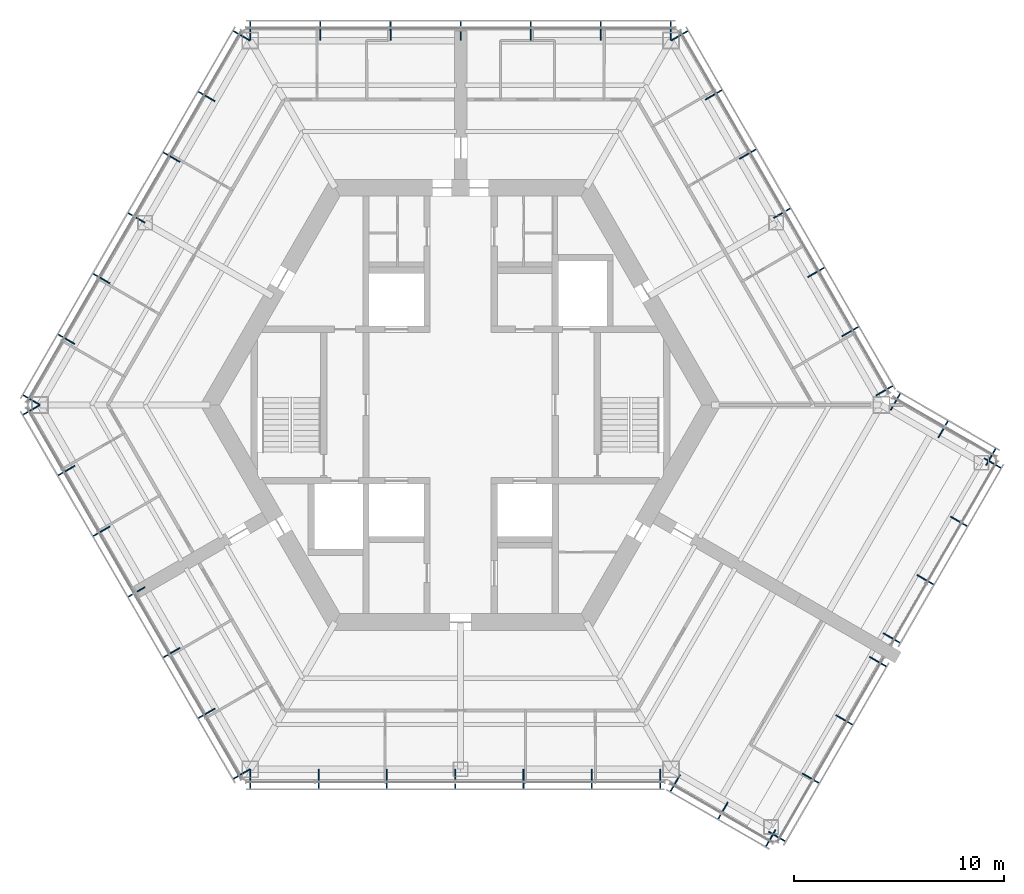
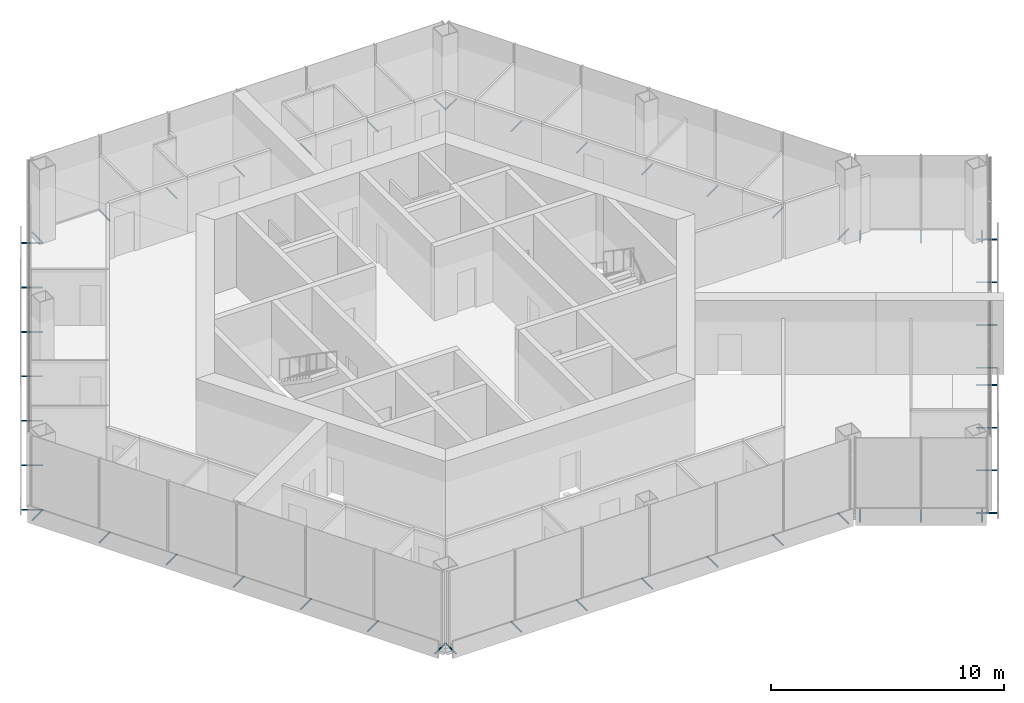
# One storey, part 11 of 13: 49 discrete accessories.
"""IFC4 building model written with IfcOpenShell, lengths in metres."""

from ifc_helpers import new_model, si_unit, direction, frame, origin, origin_2d, place, context, subcontext, project, spatial, hollow_circle, extrude, material, material_profile, profile_set, type_object, element, save


model = new_model("IFC4")

# Units and contexts
model_context = context("Model", 3, precision=1e-05, world=origin(), true_north=direction((0.0, 1.0)))
body_context = subcontext(model_context, "Body", "Model", "MODEL_VIEW")
ifc_project = project(units=[si_unit("LENGTHUNIT", "METRE"), si_unit("AREAUNIT", "SQUARE_METRE"), si_unit("VOLUMEUNIT", "CUBIC_METRE"), si_unit("PLANEANGLEUNIT", "RADIAN"), si_unit("MASSUNIT", "GRAM", prefix="KILO")], contexts=[model_context])

# Site, building, storey
site_placement = place(None, origin())
site = spatial("IfcSite", under=ifc_project, at=site_placement, CompositionType="ELEMENT")
building_placement = place(site_placement, origin())
building = spatial("IfcBuilding", under=site, at=building_placement, Name="Kasaneha Research Tower", CompositionType="ELEMENT")
storey_placement = place(building_placement, frame((0.0, 0.0, 294.699951171875)))
storey = spatial("IfcBuildingStorey", under=building, at=storey_placement, Name="L74", CompositionType="ELEMENT", Elevation=294.699951171875)

# Discrete accessories
ifc_material = material(Name="Steel STK400", Category="steel")
ifc_material_profile = material_profile(ifc_material, hollow_circle(Radius=0.0380859375, WallThickness=0.00390625, at=origin_2d()), Name="CHS-76.3x4.0")
ifc_profile_set = profile_set([ifc_material_profile], Name="Steel STK400")
discrete_accessory_type = type_object("IfcDiscreteAccessoryType", Name="Screen bracket CHS-76.3x4.0", PredefinedType="BRACKET", material=ifc_profile_set)
for number, where, z_axis, x_axis, name in (
    (1, (19.74462890625, 0.4423828125, -0.300048828125), (0.866013213425, 0.500021113727, 0.0), (-0.500021113727, 0.866013213425, 0.0), "Screen bracket 1"),
    (2, (18.120849609375, 3.2548828125, -0.300048828125), (0.866013213425, 0.500021113727, 0.0), (-0.500021113727, 0.866013213425, 0.0), "Screen bracket 2"),
    (3, (16.4970703125, 6.0673828125, -0.300048828125), (0.866013213425, 0.500021113727, 0.0), (-0.500021113727, 0.866013213425, 0.0), "Screen bracket 3"),
    (4, (14.873291015625, 8.8798828125, -0.300048828125), (0.866013213425, 0.500021113727, 0.0), (-0.500021113727, 0.866013213425, 0.0), "Screen bracket 4"),
    (5, (13.24951171875, 11.6923828125, -0.300048828125), (0.866013213425, 0.500021113727, 0.0), (-0.500021113727, 0.866013213425, 0.0), "Screen bracket 5"),
):
    element("IfcDiscreteAccessory", number, at=place(storey_placement, frame(where, z_axis=z_axis, x_axis=x_axis)), inside=storey, type_object=discrete_accessory_type, Name=name, PredefinedType="BRACKET", context=body_context, shape_type="SweptSolid", body=[
        extrude(hollow_circle(Radius=0.0380859375, WallThickness=0.00390625, at=origin_2d()), origin(), (0.0, 0.0, 1.0), 0.919921875),
    ])
for number, where, z_axis, x_axis, name in (
    (6, (11.62548828125, 14.5048828125, -0.300048828125), (0.866079547155, 0.499906209203, 0.0), (-0.499906209203, 0.866079547155, 0.0), "Screen bracket 6"),
    (7, (10.001708984375, 17.3173828125, -0.300048828125), (0.866079547155, 0.499906209203, 0.0), (-0.499906209203, 0.866079547155, 0.0), "Screen bracket 7"),
):
    element("IfcDiscreteAccessory", number, at=place(storey_placement, frame(where, z_axis=z_axis, x_axis=x_axis)), inside=storey, type_object=discrete_accessory_type, Name=name, PredefinedType="BRACKET", context=body_context, shape_type="SweptSolid", body=[
        extrude(hollow_circle(Radius=0.0380859375, WallThickness=0.00390625, at=origin_2d()), origin(), (0.0, 0.0, 1.0), 0.920166015625),
    ])
for number, where, z_axis, x_axis, name in (
    (8, (9.996337890625, 17.320556640625, -0.300048828125), (0.0, 1.0, 0.0), (-1.0, 0.0, 0.0), "Screen bracket 1"),
    (9, (6.664306640625, 17.320556640625, -0.300048828125), (0.0, 1.0, 0.0), (-1.0, 0.0, 0.0), "Screen bracket 2"),
    (10, (3.33203125, 17.320556640625, -0.300048828125), (0.0, 1.0, 0.0), (-1.0, 0.0, 0.0), "Screen bracket 3"),
    (11, (0.0, 17.320556640625, -0.300048828125), (0.0, 1.0, 0.0), (-1.0, 0.0, 0.0), "Screen bracket 4"),
    (12, (-3.33203125, 17.320556640625, -0.300048828125), (0.0, 1.0, 0.0), (-1.0, 0.0, 0.0), "Screen bracket 5"),
    (13, (-6.664306640625, 17.320556640625, -0.300048828125), (0.0, 1.0, 0.0), (-1.0, 0.0, 0.0), "Screen bracket 6"),
    (14, (-9.996337890625, 17.320556640625, -0.300048828125), (0.0, 1.0, 0.0), (-1.0, 0.0, 0.0), "Screen bracket 7"),
):
    element("IfcDiscreteAccessory", number, at=place(storey_placement, frame(where, z_axis=z_axis, x_axis=x_axis)), inside=storey, type_object=discrete_accessory_type, Name=name, PredefinedType="BRACKET", context=body_context, shape_type="SweptSolid", body=[
        extrude(hollow_circle(Radius=0.0380859375, WallThickness=0.00390625, at=origin_2d()), origin(), (0.0, 0.0, 1.0), 0.919921875),
    ])
discrete_accessory_1_placement = place(storey_placement, frame((-10.001708984375, 17.3173828125, -0.300048828125), z_axis=(-0.866079547155, 0.499906209203, 0.0), x_axis=(-0.499906209203, -0.866079547155, 0.0)))
element("IfcDiscreteAccessory", 15, at=discrete_accessory_1_placement, inside=storey, type_object=discrete_accessory_type, Name="Screen bracket 1", PredefinedType="BRACKET", context=body_context, shape_type="SweptSolid", body=[
    extrude(hollow_circle(Radius=0.0380859375, WallThickness=0.00390625, at=origin_2d()), origin(), (0.0, 0.0, 1.0), 0.920166015625),
])
for number, where, z_axis, x_axis, name in (
    (16, (-11.66796875, 14.431640625, -0.300048828125), (-0.866013213425, 0.500021113727, 0.0), (-0.500021113727, -0.866013213425, 0.0), "Screen bracket 2"),
    (17, (-13.333984375, 11.5458984375, -0.300048828125), (-0.866013213425, 0.500021113727, 0.0), (-0.500021113727, -0.866013213425, 0.0), "Screen bracket 3"),
    (18, (-15.0, 8.66015625, -0.300048828125), (-0.865898279276, 0.500220121494, 0.0), (-0.500220121494, -0.865898279276, 0.0), "Screen bracket 4"),
):
    element("IfcDiscreteAccessory", number, at=place(storey_placement, frame(where, z_axis=z_axis, x_axis=x_axis)), inside=storey, type_object=discrete_accessory_type, Name=name, PredefinedType="BRACKET", context=body_context, shape_type="SweptSolid", body=[
        extrude(hollow_circle(Radius=0.0380859375, WallThickness=0.00390625, at=origin_2d()), origin(), (0.0, 0.0, 1.0), 0.919921875),
    ])
for number, where, z_axis, x_axis, name in (
    (19, (-16.666015625, 5.774658203125, -0.300048828125), (-0.866079547155, 0.499906209203, 0.0), (-0.499906209203, -0.866079547155, 0.0), "Screen bracket 5"),
    (20, (-18.33203125, 2.888916015625, -0.300048828125), (-0.866079547155, 0.499906209203, 0.0), (-0.499906209203, -0.866079547155, 0.0), "Screen bracket 6"),
):
    element("IfcDiscreteAccessory", number, at=place(storey_placement, frame(where, z_axis=z_axis, x_axis=x_axis)), inside=storey, type_object=discrete_accessory_type, Name=name, PredefinedType="BRACKET", context=body_context, shape_type="SweptSolid", body=[
        extrude(hollow_circle(Radius=0.0380859375, WallThickness=0.00390625, at=origin_2d()), origin(), (0.0, 0.0, 1.0), 0.920166015625),
    ])
for number, where, z_axis, x_axis, name in (
    (21, (-19.998291015625, 0.003173828125, -0.300048828125), (-0.866013213425, 0.500021113727, 0.0), (-0.500021113727, -0.866013213425, 0.0), "Screen bracket 7"),
    (22, (-19.998291015625, -0.003173828125, -0.300048828125), (-0.866013213425, -0.500021113727, 0.0), (0.500021113727, -0.866013213425, 0.0), "Screen bracket 1"),
):
    element("IfcDiscreteAccessory", number, at=place(storey_placement, frame(where, z_axis=z_axis, x_axis=x_axis)), inside=storey, type_object=discrete_accessory_type, Name=name, PredefinedType="BRACKET", context=body_context, shape_type="SweptSolid", body=[
        extrude(hollow_circle(Radius=0.0380859375, WallThickness=0.00390625, at=origin_2d()), origin(), (0.0, 0.0, 1.0), 0.919921875),
    ])
for number, where, z_axis, x_axis, name in (
    (23, (-18.33203125, -2.888916015625, -0.300048828125), (-0.866079547155, -0.499906209203, 0.0), (0.499906209203, -0.866079547155, 0.0), "Screen bracket 2"),
    (24, (-16.666015625, -5.774658203125, -0.300048828125), (-0.866079547155, -0.499906209203, 0.0), (0.499906209203, -0.866079547155, 0.0), "Screen bracket 3"),
):
    element("IfcDiscreteAccessory", number, at=place(storey_placement, frame(where, z_axis=z_axis, x_axis=x_axis)), inside=storey, type_object=discrete_accessory_type, Name=name, PredefinedType="BRACKET", context=body_context, shape_type="SweptSolid", body=[
        extrude(hollow_circle(Radius=0.0380859375, WallThickness=0.00390625, at=origin_2d()), origin(), (0.0, 0.0, 1.0), 0.920166015625),
    ])
for number, where, z_axis, x_axis, name in (
    (25, (-15.0, -8.66015625, -0.300048828125), (-0.865898279276, -0.500220121494, 0.0), (0.500220121494, -0.865898279276, 0.0), "Screen bracket 4"),
    (26, (-13.333984375, -11.5458984375, -0.300048828125), (-0.866013213425, -0.500021113727, 0.0), (0.500021113727, -0.866013213425, 0.0), "Screen bracket 5"),
    (27, (-11.66796875, -14.431640625, -0.300048828125), (-0.866013213425, -0.500021113727, 0.0), (0.500021113727, -0.866013213425, 0.0), "Screen bracket 6"),
):
    element("IfcDiscreteAccessory", number, at=place(storey_placement, frame(where, z_axis=z_axis, x_axis=x_axis)), inside=storey, type_object=discrete_accessory_type, Name=name, PredefinedType="BRACKET", context=body_context, shape_type="SweptSolid", body=[
        extrude(hollow_circle(Radius=0.0380859375, WallThickness=0.00390625, at=origin_2d()), origin(), (0.0, 0.0, 1.0), 0.919921875),
    ])
discrete_accessory_2_placement = place(storey_placement, frame((-10.001708984375, -17.3173828125, -0.300048828125), z_axis=(-0.866079547155, -0.499906209203, 0.0), x_axis=(0.499906209203, -0.866079547155, 0.0)))
element("IfcDiscreteAccessory", 28, at=discrete_accessory_2_placement, inside=storey, type_object=discrete_accessory_type, Name="Screen bracket 7", PredefinedType="BRACKET", context=body_context, shape_type="SweptSolid", body=[
    extrude(hollow_circle(Radius=0.0380859375, WallThickness=0.00390625, at=origin_2d()), origin(), (0.0, 0.0, 1.0), 0.920166015625),
])
for number, where, z_axis, x_axis, name in (
    (29, (-9.996337890625, -17.320556640625, -0.300048828125), (0.0, -1.0, 0.0), (1.0, 0.0, 0.0), "Screen bracket 1"),
    (30, (-6.748779296875, -17.320556640625, -0.300048828125), (0.0, -1.0, 0.0), (1.0, 0.0, 0.0), "Screen bracket 2"),
    (31, (-3.501220703125, -17.320556640625, -0.300048828125), (0.0, -1.0, 0.0), (1.0, 0.0, 0.0), "Screen bracket 3"),
    (32, (-0.253662109375, -17.320556640625, -0.300048828125), (0.0, -1.0, 0.0), (1.0, 0.0, 0.0), "Screen bracket 4"),
    (33, (2.993896484375, -17.320556640625, -0.300048828125), (0.0, -1.0, 0.0), (1.0, 0.0, 0.0), "Screen bracket 5"),
    (34, (6.24169921875, -17.320556640625, -0.300048828125), (0.0, -1.0, 0.0), (1.0, 0.0, 0.0), "Screen bracket 6"),
    (35, (9.4892578125, -17.320556640625, -0.300048828125), (0.0, -1.0, 0.0), (1.0, 0.0, 0.0), "Screen bracket 7"),
    (36, (10.4423828125, -17.575927734375, -0.300048828125), (-0.500021113727, -0.866013213425, 0.0), (0.866013213425, -0.500021113727, 0.0), "Screen bracket 1"),
    (37, (12.7109375, -18.8857421875, -0.300048828125), (-0.500021113727, -0.866013213425, 0.0), (0.866013213425, -0.500021113727, 0.0), "Screen bracket 2"),
    (38, (14.979736328125, -20.195556640625, -0.300048828125), (-0.500220121494, -0.865898279276, 0.0), (0.865898279276, -0.500220121494, 0.0), "Screen bracket 3"),
    (39, (14.63818359375, -20.287109375, -0.300048828125), (0.866013213425, -0.500021113727, 0.0), (0.500021113727, 0.866013213425, 0.0), "Screen bracket 1"),
):
    element("IfcDiscreteAccessory", number, at=place(storey_placement, frame(where, z_axis=z_axis, x_axis=x_axis)), inside=storey, type_object=discrete_accessory_type, Name=name, PredefinedType="BRACKET", context=body_context, shape_type="SweptSolid", body=[
        extrude(hollow_circle(Radius=0.0380859375, WallThickness=0.00390625, at=origin_2d()), origin(), (0.0, 0.0, 1.0), 0.919921875),
    ])
discrete_accessory_3_placement = place(storey_placement, frame((16.238037109375, -17.515625, -0.300048828125), z_axis=(0.865964657013, -0.500105201737, 0.0), x_axis=(0.500105201737, 0.865964657013, 0.0)))
element("IfcDiscreteAccessory", 40, at=discrete_accessory_3_placement, inside=storey, type_object=discrete_accessory_type, Name="Screen bracket 2", PredefinedType="BRACKET", context=body_context, shape_type="SweptSolid", body=[
    extrude(hollow_circle(Radius=0.0380859375, WallThickness=0.00390625, at=origin_2d()), origin(), (0.0, 0.0, 1.0), 0.920166015625),
])
for number, where, z_axis, x_axis, name in (
    (41, (17.838134765625, -14.744384765625, -0.300048828125), (0.866013213425, -0.500021113727, 0.0), (0.500021113727, 0.866013213425, 0.0), "Screen bracket 3"),
    (42, (19.438232421875, -11.97314453125, -0.300048828125), (0.866013213425, -0.500021113727, 0.0), (0.500021113727, 0.866013213425, 0.0), "Screen bracket 4"),
    (43, (20.088134765625, -10.847412109375, -0.300048828125), (0.866013213425, -0.500021113727, 0.0), (0.500021113727, 0.866013213425, 0.0), "Screen bracket 1"),
    (44, (21.688232421875, -8.076171875, -0.300048828125), (0.866013213425, -0.500021113727, 0.0), (0.500021113727, 0.866013213425, 0.0), "Screen bracket 2"),
):
    element("IfcDiscreteAccessory", number, at=place(storey_placement, frame(where, z_axis=z_axis, x_axis=x_axis)), inside=storey, type_object=discrete_accessory_type, Name=name, PredefinedType="BRACKET", context=body_context, shape_type="SweptSolid", body=[
        extrude(hollow_circle(Radius=0.0380859375, WallThickness=0.00390625, at=origin_2d()), origin(), (0.0, 0.0, 1.0), 0.919921875),
    ])
discrete_accessory_4_placement = place(storey_placement, frame((23.2880859375, -5.3046875, -0.300048828125), z_axis=(0.865964657013, -0.500105201737, 0.0), x_axis=(0.500105201737, 0.865964657013, 0.0)))
element("IfcDiscreteAccessory", 45, at=discrete_accessory_4_placement, inside=storey, type_object=discrete_accessory_type, Name="Screen bracket 3", PredefinedType="BRACKET", context=body_context, shape_type="SweptSolid", body=[
    extrude(hollow_circle(Radius=0.0380859375, WallThickness=0.00390625, at=origin_2d()), origin(), (0.0, 0.0, 1.0), 0.920166015625),
])
for number, where, z_axis, x_axis, name in (
    (46, (24.88818359375, -2.533447265625, -0.300048828125), (0.866013213425, -0.500021113727, 0.0), (0.500021113727, 0.866013213425, 0.0), "Screen bracket 4"),
    (47, (24.979736328125, -2.875, -0.300048828125), (0.500021113727, 0.866013213425, 0.0), (-0.866013213425, 0.500021113727, 0.0), "Screen bracket 1"),
    (48, (22.7109375, -1.565185546875, -0.300048828125), (0.500021113727, 0.866013213425, 0.0), (-0.866013213425, 0.500021113727, 0.0), "Screen bracket 2"),
    (49, (20.4423828125, -0.25537109375, -0.300048828125), (0.500021113727, 0.866013213425, 0.0), (-0.866013213425, 0.500021113727, 0.0), "Screen bracket 3"),
):
    element("IfcDiscreteAccessory", number, at=place(storey_placement, frame(where, z_axis=z_axis, x_axis=x_axis)), inside=storey, type_object=discrete_accessory_type, Name=name, PredefinedType="BRACKET", context=body_context, shape_type="SweptSolid", body=[
        extrude(hollow_circle(Radius=0.0380859375, WallThickness=0.00390625, at=origin_2d()), origin(), (0.0, 0.0, 1.0), 0.919921875),
    ])

save(model, "model.ifc")
